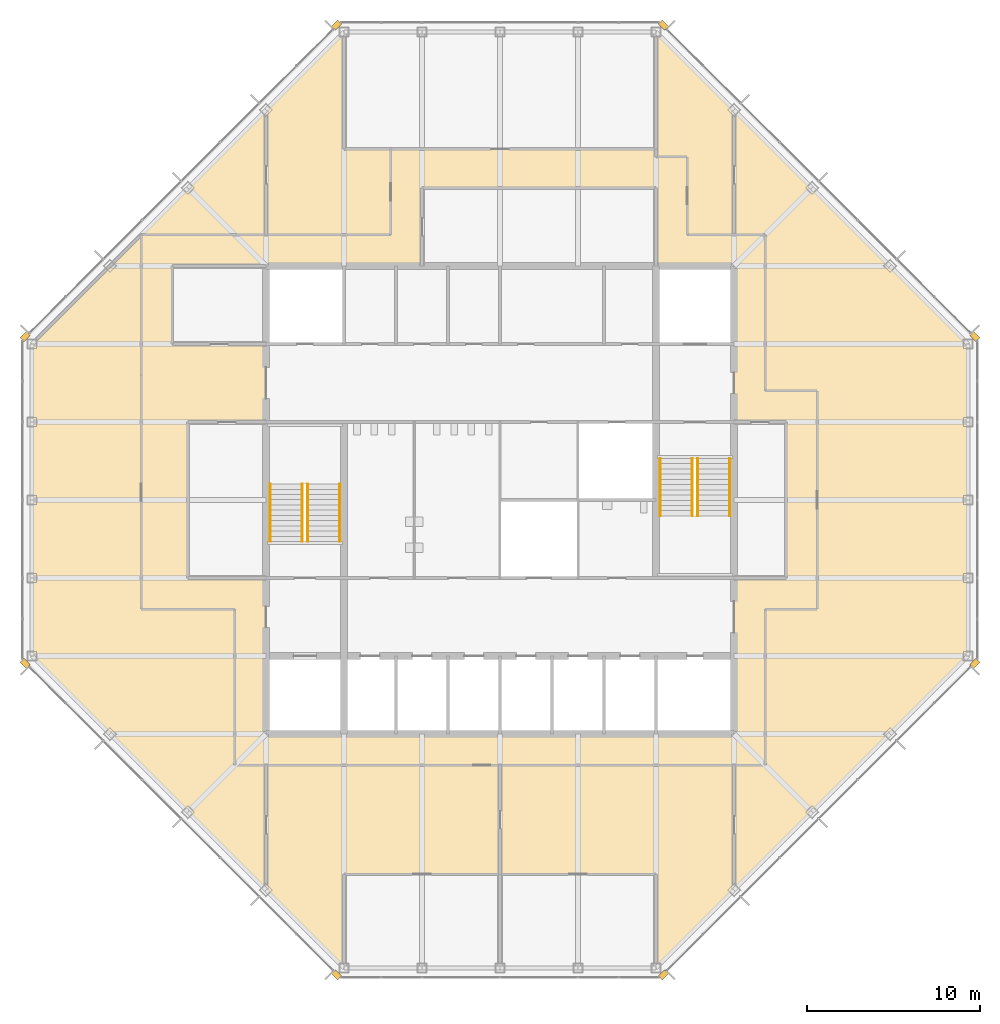
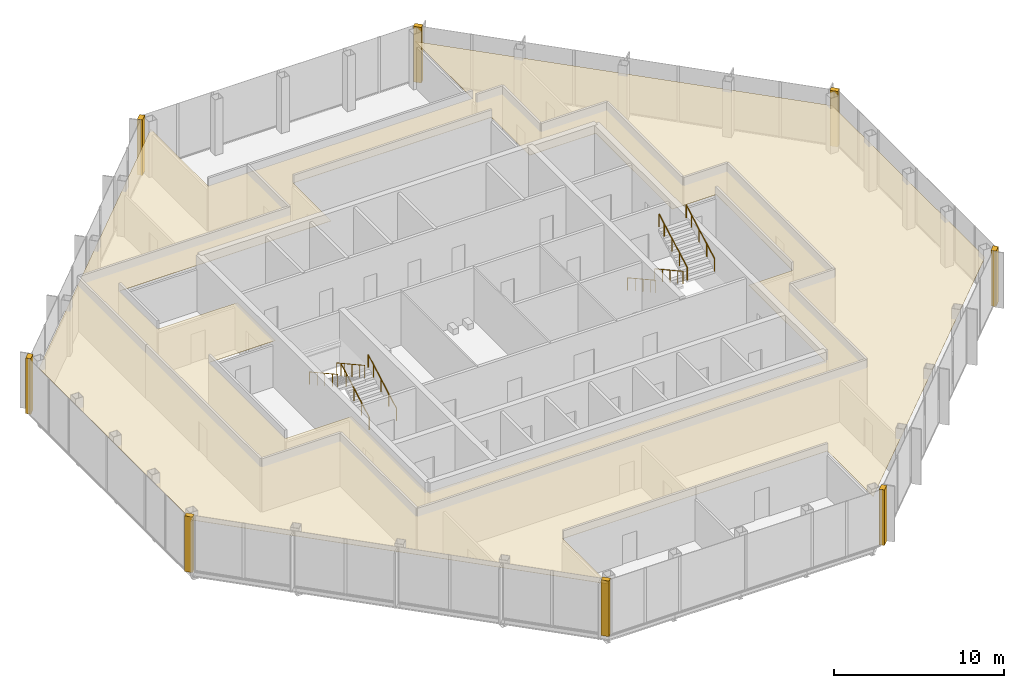
# One storey, part 12 of 13: 9 coverings, 8 railings.
"""IFC4 building model written with IfcOpenShell, lengths in metres."""

from ifc_helpers import new_model, si_unit, direction, frame, origin, origin_2d, place, context, subcontext, project, spatial, polyline, circle, outline, extrude, material, layer, layer_set, type_object, element, save


model = new_model("IFC4")

# Units and contexts
model_context = context("Model", 3, precision=1e-05, world=origin(), true_north=direction((0.0, 1.0)))
body_context = subcontext(model_context, "Body", "Model", "MODEL_VIEW")
ifc_project = project(units=[si_unit("LENGTHUNIT", "METRE"), si_unit("AREAUNIT", "SQUARE_METRE"), si_unit("VOLUMEUNIT", "CUBIC_METRE"), si_unit("PLANEANGLEUNIT", "RADIAN"), si_unit("MASSUNIT", "GRAM", prefix="KILO")], contexts=[model_context])

# Site, building, storey
site_placement = place(None, origin())
site = spatial("IfcSite", under=ifc_project, at=site_placement, CompositionType="ELEMENT")
building_placement = place(site_placement, origin())
building = spatial("IfcBuilding", under=site, at=building_placement, Name="Corais Broadcast Tower", CompositionType="ELEMENT")
storey_placement = place(building_placement, frame((0.0, 0.0, 306.60009765625)))
storey = spatial("IfcBuildingStorey", under=building, at=storey_placement, Name="L72", CompositionType="ELEMENT", Elevation=306.60009765625)

# Railings
ifc_material_1 = material(Name="Stainless steel handrail", Category="steel")
railing_type = type_object("IfcRailingType", Name="Handrail 920", PredefinedType="HANDRAIL", material=ifc_material_1)
for number, where, name in (
    (1, (17.75, 24.60009765625, 0.16650390625), "HR1 L72"),
    (2, (15.89990234375, 24.60009765625, 0.16650390625), "HR1 L72"),
):
    element("IfcRailing", number, at=place(storey_placement, frame(where)), inside=storey, type_object=railing_type, Name=name, PredefinedType="HANDRAIL", context=body_context, shape_type="SweptSolid", body=[
        extrude(circle(Radius=0.02392578125, at=origin_2d()), frame((0.0, 0.0, 0.89599609375), z_axis=(0.0, 0.875504475178, 0.483210010185), x_axis=(-1.0, 0.0, 0.0)), (0.0, 0.0, 1.0), 3.79443359375),
        extrude(circle(Radius=0.02099609375, at=origin_2d()), origin(), (0.0, 0.0, 1.0), 0.871826171875),
        extrude(circle(Radius=0.02099609375, at=origin_2d()), frame((0.0, 0.906005859375, 0.5)), (0.0, 0.0, 1.0), 0.871826171875),
        extrude(circle(Radius=0.02099609375, at=origin_2d()), frame((0.0, 1.81201171875, 1.0)), (0.0, 0.0, 1.0), 0.871826171875),
        extrude(circle(Radius=0.02099609375, at=origin_2d()), frame((0.0, 2.718017578125, 1.500244140625)), (0.0, 0.0, 1.0), 0.871826171875),
        extrude(circle(Radius=0.02099609375, at=origin_2d()), frame((0.0, 3.322021484375, 1.83349609375)), (0.0, 0.0, 1.0), 0.871826171875),
    ])
for number, where, name in (
    (3, (13.75, 27.922119140625, 2.16650390625), "HR1 L72"),
    (4, (15.60009765625, 27.922119140625, 2.16650390625), "HR1 L72"),
    (5, (36.25, 29.39990234375, 0.16650390625), "HR1 L72"),
    (6, (38.10009765625, 29.39990234375, 0.16650390625), "HR1 L72"),
):
    element("IfcRailing", number, at=place(storey_placement, frame(where)), inside=storey, type_object=railing_type, Name=name, PredefinedType="HANDRAIL", context=body_context, shape_type="SweptSolid", body=[
        extrude(circle(Radius=0.02392578125, at=origin_2d()), frame((0.0, 0.0, 0.89599609375), z_axis=(0.0, -0.875504475178, 0.483210010185), x_axis=(1.0, 0.0, 0.0)), (0.0, 0.0, 1.0), 3.79443359375),
        extrude(circle(Radius=0.02099609375, at=origin_2d()), origin(), (0.0, 0.0, 1.0), 0.871826171875),
        extrude(circle(Radius=0.02099609375, at=origin_2d()), frame((0.0, -0.906005859375, 0.5)), (0.0, 0.0, 1.0), 0.871826171875),
        extrude(circle(Radius=0.02099609375, at=origin_2d()), frame((0.0, -1.81201171875, 1.0)), (0.0, 0.0, 1.0), 0.871826171875),
        extrude(circle(Radius=0.02099609375, at=origin_2d()), frame((0.0, -2.718017578125, 1.500244140625)), (0.0, 0.0, 1.0), 0.871826171875),
        extrude(circle(Radius=0.02099609375, at=origin_2d()), frame((0.0, -3.322021484375, 1.83349609375)), (0.0, 0.0, 1.0), 0.871826171875),
    ])
for number, where, name in (
    (7, (40.25, 26.077880859375, 2.16650390625), "HR1 L72"),
    (8, (38.39990234375, 26.077880859375, 2.16650390625), "HR1 L72"),
):
    element("IfcRailing", number, at=place(storey_placement, frame(where)), inside=storey, type_object=railing_type, Name=name, PredefinedType="HANDRAIL", context=body_context, shape_type="SweptSolid", body=[
        extrude(circle(Radius=0.02392578125, at=origin_2d()), frame((0.0, 0.0, 0.89599609375), z_axis=(0.0, 0.875504475178, 0.483210010185), x_axis=(-1.0, 0.0, 0.0)), (0.0, 0.0, 1.0), 3.79443359375),
        extrude(circle(Radius=0.02099609375, at=origin_2d()), origin(), (0.0, 0.0, 1.0), 0.871826171875),
        extrude(circle(Radius=0.02099609375, at=origin_2d()), frame((0.0, 0.906005859375, 0.5)), (0.0, 0.0, 1.0), 0.871826171875),
        extrude(circle(Radius=0.02099609375, at=origin_2d()), frame((0.0, 1.81201171875, 1.0)), (0.0, 0.0, 1.0), 0.871826171875),
        extrude(circle(Radius=0.02099609375, at=origin_2d()), frame((0.0, 2.718017578125, 1.500244140625)), (0.0, 0.0, 1.0), 0.871826171875),
        extrude(circle(Radius=0.02099609375, at=origin_2d()), frame((0.0, 3.322021484375, 1.83349609375)), (0.0, 0.0, 1.0), 0.871826171875),
    ])

# Coverings
ifc_material_2 = material(Name="Granite stone cladding", Category="masonry")
ifc_layer_1 = layer(ifc_material_2, 0.324951171875)
ifc_layer_set_1 = layer_set([ifc_layer_1], Name="Granite stone cladding")
covering_type_1 = type_object("IfcCoveringType", Name="Stone corner pier cladding 500x325", PredefinedType="CLADDING", material=ifc_layer_set_1)
covering_1_placement = place(storey_placement, origin())
element("IfcCovering", 9, at=covering_1_placement, inside=storey, type_object=covering_type_1, Name="SP1 stone corner pier L72", PredefinedType="CLADDING", context=body_context, shape_type="SweptSolid", body=[
    extrude(outline(polyline([(17.860595703125, -0.461669921875), (17.507080078125, -0.108154296875), (17.277099609375, -0.337890625), (17.630859375, -0.69140625), (17.860595703125, -0.461669921875)])), origin(), (0.0, 0.0, 1.0), 4.0),
])
covering_2_placement = place(storey_placement, origin())
element("IfcCovering", 10, at=covering_2_placement, inside=storey, type_object=covering_type_1, Name="SP1 stone corner pier L72", PredefinedType="CLADDING", context=body_context, shape_type="SweptSolid", body=[
    extrude(outline(polyline([(-0.461669921875, 17.860595703125), (-0.69140625, 17.630859375), (-0.337890625, 17.277099609375), (-0.108154296875, 17.507080078125), (-0.461669921875, 17.860595703125)])), origin(), (0.0, 0.0, 1.0), 4.0),
])
covering_3_placement = place(storey_placement, origin())
element("IfcCovering", 11, at=covering_3_placement, inside=storey, type_object=covering_type_1, Name="SP1 stone corner pier L72", PredefinedType="CLADDING", context=body_context, shape_type="SweptSolid", body=[
    extrude(outline(polyline([(-0.461669921875, 36.139404296875), (-0.108154296875, 36.492919921875), (-0.337890625, 36.722900390625), (-0.69140625, 36.369140625), (-0.461669921875, 36.139404296875)])), origin(), (0.0, 0.0, 1.0), 4.0),
])
covering_4_placement = place(storey_placement, origin())
element("IfcCovering", 12, at=covering_4_placement, inside=storey, type_object=covering_type_1, Name="SP1 stone corner pier L72", PredefinedType="CLADDING", context=body_context, shape_type="SweptSolid", body=[
    extrude(outline(polyline([(17.860595703125, 54.461669921875), (17.630859375, 54.69140625), (17.277099609375, 54.337890625), (17.507080078125, 54.108154296875), (17.860595703125, 54.461669921875)])), origin(), (0.0, 0.0, 1.0), 4.0),
])
covering_5_placement = place(storey_placement, origin())
element("IfcCovering", 13, at=covering_5_placement, inside=storey, type_object=covering_type_1, Name="SP1 stone corner pier L72", PredefinedType="CLADDING", context=body_context, shape_type="SweptSolid", body=[
    extrude(outline(polyline([(36.139404296875, 54.461669921875), (36.492919921875, 54.108154296875), (36.722900390625, 54.337890625), (36.369140625, 54.69140625), (36.139404296875, 54.461669921875)])), origin(), (0.0, 0.0, 1.0), 4.0),
])
covering_6_placement = place(storey_placement, origin())
element("IfcCovering", 14, at=covering_6_placement, inside=storey, type_object=covering_type_1, Name="SP1 stone corner pier L72", PredefinedType="CLADDING", context=body_context, shape_type="SweptSolid", body=[
    extrude(outline(polyline([(54.461669921875, 36.139404296875), (54.69140625, 36.369140625), (54.337890625, 36.722900390625), (54.108154296875, 36.492919921875), (54.461669921875, 36.139404296875)])), origin(), (0.0, 0.0, 1.0), 4.0),
])
covering_7_placement = place(storey_placement, origin())
element("IfcCovering", 15, at=covering_7_placement, inside=storey, type_object=covering_type_1, Name="SP1 stone corner pier L72", PredefinedType="CLADDING", context=body_context, shape_type="SweptSolid", body=[
    extrude(outline(polyline([(54.461669921875, 17.860595703125), (54.108154296875, 17.507080078125), (54.337890625, 17.277099609375), (54.69140625, 17.630859375), (54.461669921875, 17.860595703125)])), origin(), (0.0, 0.0, 1.0), 4.0),
])
covering_8_placement = place(storey_placement, origin())
element("IfcCovering", 16, at=covering_8_placement, inside=storey, type_object=covering_type_1, Name="SP1 stone corner pier L72", PredefinedType="CLADDING", context=body_context, shape_type="SweptSolid", body=[
    extrude(outline(polyline([(36.139404296875, -0.461669921875), (36.369140625, -0.69140625), (36.722900390625, -0.337890625), (36.492919921875, -0.108154296875), (36.139404296875, -0.461669921875)])), origin(), (0.0, 0.0, 1.0), 4.0),
])
ifc_material_3 = material(Name="Mineral fibre ceiling tile", Category="mineral")
ifc_layer_2 = layer(ifc_material_3, 0.02001953125)
ifc_layer_set_2 = layer_set([ifc_layer_2], Name="Mineral fibre ceiling tile")
covering_type_2 = type_object("IfcCoveringType", Name="Suspended ceiling", PredefinedType="CEILING", material=ifc_layer_set_2)
covering_9_placement = place(storey_placement, frame((0.0, 0.0, 3.219970703125)))
element("IfcCovering", 17, at=covering_9_placement, inside=storey, type_object=covering_type_2, Name="CE1 ceiling L72", PredefinedType="CEILING", context=body_context, shape_type="SweptSolid", body=[
    extrude(outline(polyline([(6.300048828125, 42.300048828125), (6.3017578125, 42.3017578125), (13.5, 49.5), (18.0, 54.0), (18.0, 47.25), (36.0, 47.25), (36.0, 54.0), (54.0, 36.0), (54.0, 18.0), (40.500244140625, 4.500244140625), (40.498779296875, 4.498779296875), (40.498291015625, 4.498291015625), (36.0, 0.0), (36.0, 5.39990234375), (18.0, 5.39990234375), (18.0, 0.0), (13.501708984375, 4.498291015625), (13.499755859375, 4.500244140625), (0.0, 18.0), (0.0, 36.0), (6.300048828125, 42.300048828125)]), holes=[polyline([(43.5, 31.5), (40.5, 31.5), (40.5, 40.5), (36.0, 40.5), (36.0, 45.0), (22.5, 45.0), (22.5, 40.5), (8.10009765625, 40.5), (8.10009765625, 36.0), (13.5, 36.0), (13.5, 31.5), (9.0, 31.5), (9.0, 22.5), (13.5, 22.5), (13.5, 13.5), (40.5, 13.5), (40.5, 22.5), (43.5, 22.5), (43.5, 31.5)])]), origin(), (0.0, 0.0, 1.0), 0.02001953125),
])

save(model, "model.ifc")
